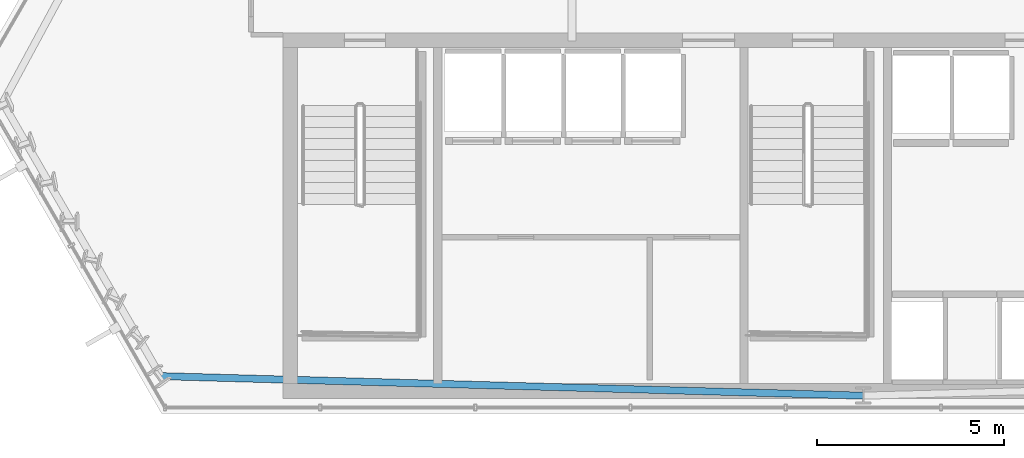
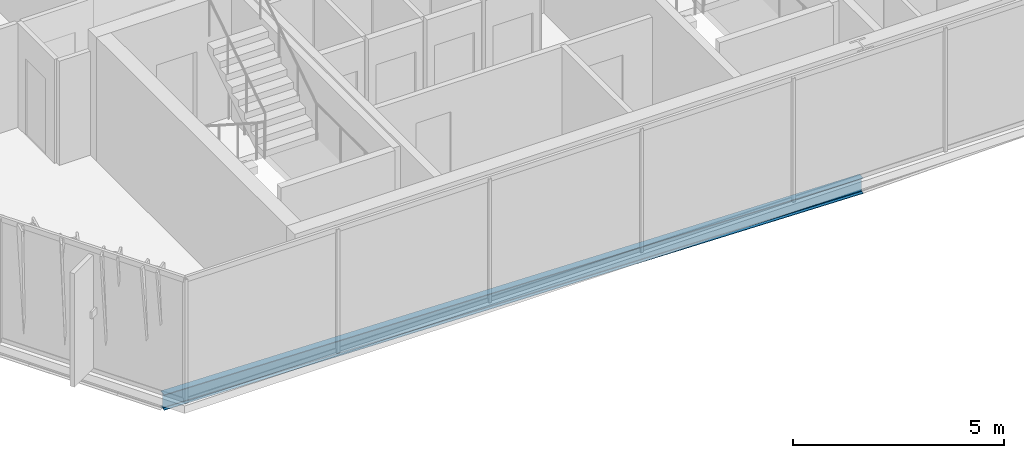
# One storey, part 4 of 35: 1 beam.
"""IFC4 building model written with IfcOpenShell, lengths in metres."""

from ifc_helpers import new_model, si_unit, direction, frame, origin, origin_2d, place, context, subcontext, project, spatial, i_section, extrude, material, material_profile, profile_set, type_object, element, save


model = new_model("IFC4")

# Units and contexts
model_context = context("Model", 3, precision=1e-05, world=origin(), true_north=direction((0.0, 1.0)))
body_context = subcontext(model_context, "Body", "Model", "MODEL_VIEW")
ifc_project = project(units=[si_unit("LENGTHUNIT", "METRE"), si_unit("AREAUNIT", "SQUARE_METRE"), si_unit("VOLUMEUNIT", "CUBIC_METRE"), si_unit("PLANEANGLEUNIT", "RADIAN"), si_unit("MASSUNIT", "GRAM", prefix="KILO")], contexts=[model_context])

# Site, building, storey
site_placement = place(None, origin())
site = spatial("IfcSite", under=ifc_project, at=site_placement, CompositionType="ELEMENT")
building_placement = place(site_placement, origin())
building = spatial("IfcBuilding", under=site, at=building_placement, Name="Ndaravel Arena Tower", CompositionType="ELEMENT")
storey_placement = place(building_placement, frame((0.0, 0.0, 180.199951171875)))
storey = spatial("IfcBuildingStorey", under=building, at=storey_placement, Name="L43", CompositionType="ELEMENT", Elevation=180.199951171875)

# Beam
ifc_material = material(Name="Steel S355", Category="steel")
ifc_material_profile = material_profile(ifc_material, i_section(OverallWidth=0.18994140625, OverallDepth=0.449951171875, WebThickness=0.009521484375, FlangeThickness=0.0146484375, FilletRadius=0.02099609375, at=origin_2d()), Name="IPE 450")
ifc_profile_set = profile_set([ifc_material_profile], Name="Steel S355")
beam_type = type_object("IfcBeamType", Name="BM-SPAN-IPE450", PredefinedType="SPANDREL", material=ifc_profile_set)
beam_placement = place(storey_placement, frame((23.17919921875, 6.00341796875, -0.445068359375), z_axis=(0.999613480309, -0.027800898972, 0.0), x_axis=(0.027800898972, 0.999613480309, 0.0)))
element("IfcBeam", 1, at=beam_placement, inside=storey, type_object=beam_type, Name="L43 Perimeter Spandrel Beam SP-27", PredefinedType="SPANDREL", context=body_context, shape_type="SweptSolid", body=[
    extrude(i_section(OverallWidth=0.18994140625, OverallDepth=0.449951171875, WebThickness=0.009521484375, FlangeThickness=0.0146484375, FilletRadius=0.02099609375, at=origin_2d()), origin(), (0.0, 0.0, 1.0), 18.828125),
])

save(model, "model.ifc")
